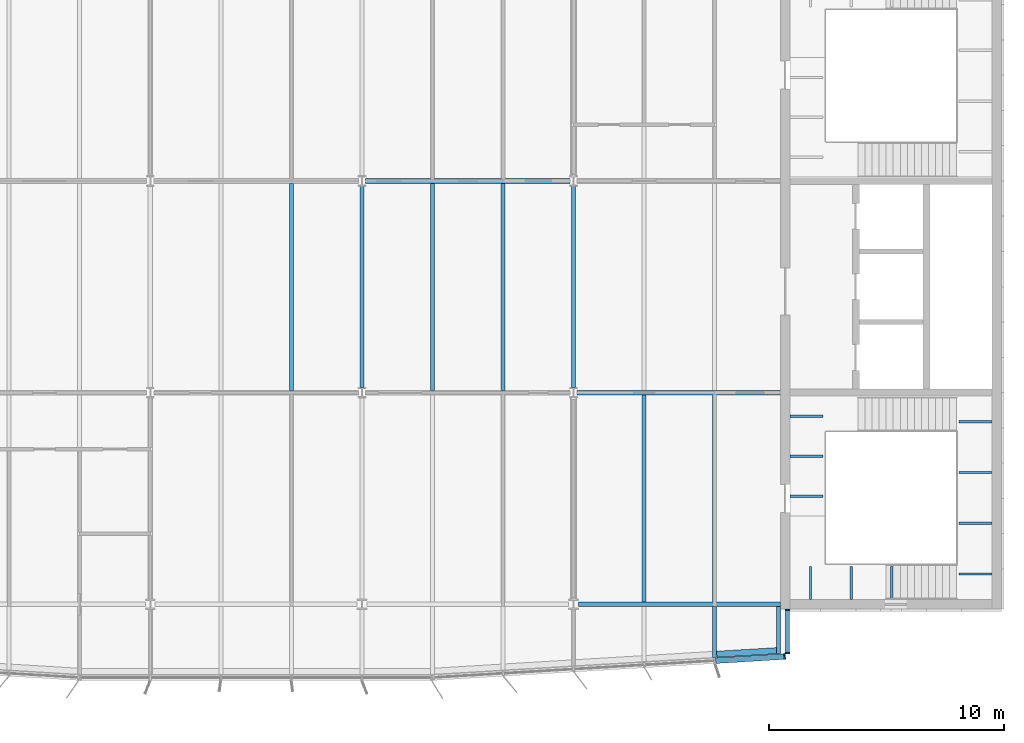
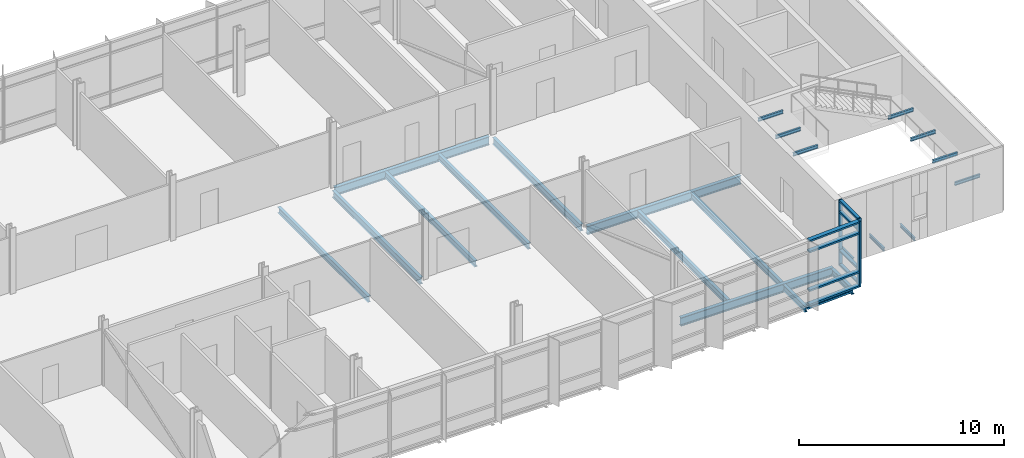
# One storey, part 6 of 18: 23 beams, 11 members, 2 elements without a shape of their own.
"""IFC4 building model written with IfcOpenShell, lengths in metres."""

from ifc_helpers import new_model, si_unit, direction, frame, origin, origin_2d, place, context, subcontext, project, spatial, rectangle, i_section, extrude, material, material_profile, profile_set, type_object, element, aggregate, save


model = new_model("IFC4")

# Units and contexts
model_context = context("Model", 3, precision=1e-05, world=origin(), true_north=direction((0.0, 1.0)))
body_context = subcontext(model_context, "Body", "Model", "MODEL_VIEW")
ifc_project = project(units=[si_unit("LENGTHUNIT", "METRE"), si_unit("AREAUNIT", "SQUARE_METRE"), si_unit("VOLUMEUNIT", "CUBIC_METRE"), si_unit("PLANEANGLEUNIT", "RADIAN"), si_unit("MASSUNIT", "GRAM", prefix="KILO")], contexts=[model_context])

# Site, building, storey
site_placement = place(None, origin())
site = spatial("IfcSite", under=ifc_project, at=site_placement, CompositionType="ELEMENT")
building_placement = place(site_placement, origin())
building = spatial("IfcBuilding", under=site, at=building_placement, Name="Azimuth Sports and Learning Centre", CompositionType="ELEMENT")
storey_placement = place(building_placement, frame((0.0, 0.0, 55.800048828125)))
storey = spatial("IfcBuildingStorey", under=building, at=storey_placement, Name="L12", CompositionType="ELEMENT", Elevation=55.800048828125)

# Beams
ifc_material_1 = material(Name="Steel S355", Category="steel")
ifc_material_profile_1 = material_profile(ifc_material_1, i_section(OverallWidth=0.10009765625, OverallDepth=0.199951171875, WebThickness=0.005615234375, FlangeThickness=0.008544921875, FilletRadius=0.011962890625, at=origin_2d()), Name="IPE 200")
ifc_profile_set_1 = profile_set([ifc_material_profile_1], Name="Steel S355")
beam_type_1 = type_object("IfcBeamType", Name="Beam IPE 200", PredefinedType="BEAM", material=ifc_profile_set_1)
for number, where, z_axis, x_axis, name in (
    (1, (109.0732421875, 90.199951171875, -0.300048828125), (0.0, 1.0, 0.0), (-1.0, 0.0, 0.0), "Landing bracket E1 L12 475"),
    (2, (110.800048828125, 90.199951171875, -0.300048828125), (0.0, 1.0, 0.0), (-1.0, 0.0, 0.0), "Landing bracket E1 L12 476"),
    (3, (112.526611328125, 90.199951171875, -0.300048828125), (0.0, 1.0, 0.0), (-1.0, 0.0, 0.0), "Landing bracket E1 L12 477"),
    (4, (116.800048828125, 91.288818359375, 1.349853515625), (-1.0, 0.0, 0.0), (0.0, -1.0, 0.0), "Landing bracket E1 L12 478"),
    (5, (116.800048828125, 93.4462890625, 1.349853515625), (-1.0, 0.0, 0.0), (0.0, -1.0, 0.0), "Landing bracket E1 L12 479"),
    (6, (116.800048828125, 95.603759765625, 1.349853515625), (-1.0, 0.0, 0.0), (0.0, -1.0, 0.0), "Landing bracket E1 L12 480"),
    (7, (116.800048828125, 97.76123046875, 1.349853515625), (-1.0, 0.0, 0.0), (0.0, -1.0, 0.0), "Landing bracket E1 L12 481"),
    (8, (108.199951171875, 94.598388671875, 3.599853515625), (1.0, 0.0, 0.0), (0.0, 1.0, 0.0), "Landing bracket E1 L12 482"),
    (9, (108.199951171875, 96.294921875, 3.599853515625), (1.0, 0.0, 0.0), (0.0, 1.0, 0.0), "Landing bracket E1 L12 483"),
    (10, (108.199951171875, 97.99169921875, 3.599853515625), (1.0, 0.0, 0.0), (0.0, 1.0, 0.0), "Landing bracket E1 L12 484"),
):
    element("IfcBeam", number, at=place(storey_placement, frame(where, z_axis=z_axis, x_axis=x_axis)), inside=storey, type_object=beam_type_1, Name=name, PredefinedType="BEAM", context=body_context, shape_type="SweptSolid", body=[
        extrude(i_section(OverallWidth=0.10009765625, OverallDepth=0.199951171875, WebThickness=0.005615234375, FlangeThickness=0.008544921875, FilletRadius=0.011962890625, at=origin_2d()), origin(), (0.0, 0.0, 1.0), 1.41015625),
    ])
ifc_material_2 = material(Name="Steel S355", Category="steel")
ifc_material_profile_2 = material_profile(ifc_material_2, i_section(OverallWidth=0.179931640625, OverallDepth=0.39990234375, WebThickness=0.008544921875, FlangeThickness=0.013427734375, FilletRadius=0.02099609375, at=origin_2d()), Name="IPE 400")
ifc_profile_set_2 = profile_set([ifc_material_profile_2], Name="Steel S355")
beam_type_2 = type_object("IfcBeamType", Name="Beam IPE 400", PredefinedType="BEAM", material=ifc_profile_set_2)
for number, where, z_axis, x_axis, name in (
    (11, (90.0, 99.216064453125, -0.330078125), (0.0, 1.0, 0.0), (-1.0, 0.0, 0.0), "Tower tie"),
    (12, (99.0, 99.216064453125, -0.330078125), (0.0, 1.0, 0.0), (-1.0, 0.0, 0.0), "Tower tie"),
):
    element("IfcBeam", number, at=place(storey_placement, frame(where, z_axis=z_axis, x_axis=x_axis)), inside=storey, type_object=beam_type_2, Name=name, PredefinedType="BEAM", context=body_context, shape_type="SweptSolid", body=[
        extrude(i_section(OverallWidth=0.179931640625, OverallDepth=0.39990234375, WebThickness=0.008544921875, FlangeThickness=0.013427734375, FilletRadius=0.02099609375, at=origin_2d()), origin(), (0.0, 0.0, 1.0), 8.56787109375),
    ])
ifc_material_3 = material(Name="Steel S355", Category="steel")
ifc_material_profile_3 = material_profile(ifc_material_3, i_section(OverallWidth=0.199951171875, OverallDepth=0.5, WebThickness=0.01025390625, FlangeThickness=0.01611328125, FilletRadius=0.02099609375, at=origin_2d()), Name="IPE 500")
ifc_profile_set_3 = profile_set([ifc_material_profile_3], Name="Steel S355")
beam_type_3 = type_object("IfcBeamType", Name="Beam IPE 500", PredefinedType="BEAM", material=ifc_profile_set_3)
beam_1_placement = place(storey_placement, frame((99.208984375, 90.0, -0.380126953125), z_axis=(1.0, 0.0, 0.0), x_axis=(0.0, 1.0, 0.0)))
element("IfcBeam", 13, at=beam_1_placement, inside=storey, type_object=beam_type_3, Name="Tower girder L12", PredefinedType="BEAM", context=body_context, shape_type="SweptSolid", body=[
    extrude(i_section(OverallWidth=0.199951171875, OverallDepth=0.5, WebThickness=0.01025390625, FlangeThickness=0.01611328125, FilletRadius=0.02099609375, at=origin_2d()), origin(), (0.0, 0.0, 1.0), 8.591064453125),
])
beam_2_placement = place(storey_placement, frame((99.153564453125, 99.0, -0.380126953125), z_axis=(1.0, 0.0, 0.0), x_axis=(0.0, 1.0, 0.0)))
element("IfcBeam", 14, at=beam_2_placement, inside=storey, type_object=beam_type_3, Name="Tower girder L12", PredefinedType="BEAM", context=body_context, shape_type="SweptSolid", body=[
    extrude(i_section(OverallWidth=0.199951171875, OverallDepth=0.5, WebThickness=0.01025390625, FlangeThickness=0.01611328125, FilletRadius=0.02099609375, at=origin_2d()), origin(), (0.0, 0.0, 1.0), 8.646484375),
])
beam_3_placement = place(storey_placement, frame((90.153564453125, 108.0, -0.380126953125), z_axis=(1.0, 0.0, 0.0), x_axis=(0.0, 1.0, 0.0)))
element("IfcBeam", 15, at=beam_3_placement, inside=storey, type_object=beam_type_3, Name="Tower girder L12", PredefinedType="BEAM", context=body_context, shape_type="SweptSolid", body=[
    extrude(i_section(OverallWidth=0.199951171875, OverallDepth=0.5, WebThickness=0.01025390625, FlangeThickness=0.01611328125, FilletRadius=0.02099609375, at=origin_2d()), origin(), (0.0, 0.0, 1.0), 8.69287109375),
])
ifc_material_4 = material(Name="Steel S355", Category="steel")
ifc_material_profile_4 = material_profile(ifc_material_4, i_section(OverallWidth=0.169921875, OverallDepth=0.360107421875, WebThickness=0.008056640625, FlangeThickness=0.0126953125, FilletRadius=0.01806640625, at=origin_2d()), Name="IPE 360")
ifc_profile_set_4 = profile_set([ifc_material_profile_4], Name="Steel S355")
beam_type_4 = type_object("IfcBeamType", Name="Cantilever stub IPE 360", PredefinedType="JOIST", material=ifc_profile_set_4)
beam_4_placement = place(storey_placement, frame((105.0, 89.89990234375, -0.31005859375), z_axis=(0.0, -1.0, 0.0), x_axis=(1.0, 0.0, 0.0)))
element("IfcBeam", 16, at=beam_4_placement, inside=storey, type_object=beam_type_4, Name="Tower cantilever stub", PredefinedType="JOIST", context=body_context, shape_type="SweptSolid", body=[
    extrude(i_section(OverallWidth=0.169921875, OverallDepth=0.360107421875, WebThickness=0.008056640625, FlangeThickness=0.0126953125, FilletRadius=0.01806640625, at=origin_2d()), origin(), (0.0, 0.0, 1.0), 2.159912109375),
])
beam_5_placement = place(storey_placement, frame((107.715087890625, 89.89990234375, -0.31005859375), z_axis=(0.0, -1.0, 0.0), x_axis=(1.0, 0.0, 0.0)))
element("IfcBeam", 17, at=beam_5_placement, inside=storey, type_object=beam_type_4, Name="Tower cantilever stub", PredefinedType="JOIST", context=body_context, shape_type="SweptSolid", body=[
    extrude(i_section(OverallWidth=0.169921875, OverallDepth=0.360107421875, WebThickness=0.008056640625, FlangeThickness=0.0126953125, FilletRadius=0.01806640625, at=origin_2d()), origin(), (0.0, 0.0, 1.0), 1.9970703125),
])
ifc_material_5 = material(Name="Steel S355", Category="steel")
ifc_material_profile_5 = material_profile(ifc_material_5, i_section(OverallWidth=0.260009765625, OverallDepth=0.25, WebThickness=0.007568359375, FlangeThickness=0.012451171875, FilletRadius=0.02392578125, at=origin_2d()), Name="HEA 260")
ifc_profile_set_5 = profile_set([ifc_material_profile_5], Name="Steel S355")
beam_type_5 = type_object("IfcBeamType", Name="Edge beam HEA 260", PredefinedType="SPANDREL", material=ifc_profile_set_5)
beam_6_placement = place(storey_placement, frame((105.0849609375, 87.875, -0.255126953125), z_axis=(0.998201638043, 0.05994572385, 0.0), x_axis=(-0.05994572385, 0.998201638043, 0.0)))
element("IfcBeam", 18, at=beam_6_placement, inside=storey, type_object=beam_type_5, Name="Tower edge beam", PredefinedType="SPANDREL", context=body_context, shape_type="SweptSolid", body=[
    extrude(i_section(OverallWidth=0.260009765625, OverallDepth=0.25, WebThickness=0.007568359375, FlangeThickness=0.012451171875, FilletRadius=0.02392578125, at=origin_2d()), origin(), (0.0, 0.0, 1.0), 2.549560546875),
])
ifc_material_6 = material(Name="Steel S355", Category="steel")
ifc_material_profile_6 = material_profile(ifc_material_6, i_section(OverallWidth=0.169921875, OverallDepth=0.360107421875, WebThickness=0.008056640625, FlangeThickness=0.0126953125, FilletRadius=0.01806640625, at=origin_2d()), Name="IPE 360")
ifc_profile_set_6 = profile_set([ifc_material_profile_6], Name="Steel S355")
beam_type_6 = type_object("IfcBeamType", Name="Joist IPE 360", PredefinedType="JOIST", material=ifc_profile_set_6)
for number, where, z_axis, x_axis, name in (
    (19, (87.0, 99.10009765625, -0.31005859375), (0.0, 1.0, 0.0), (-1.0, 0.0, 0.0), "Tower joist"),
    (20, (93.0, 99.10009765625, -0.31005859375), (0.0, 1.0, 0.0), (-1.0, 0.0, 0.0), "Tower joist"),
    (21, (96.0, 99.10009765625, -0.31005859375), (0.0, 1.0, 0.0), (-1.0, 0.0, 0.0), "Tower joist"),
    (22, (102.0, 90.10009765625, -0.31005859375), (0.0, 1.0, 0.0), (-1.0, 0.0, 0.0), "Tower joist"),
    (23, (105.0, 90.10009765625, -0.31005859375), (0.0, 1.0, 0.0), (-1.0, 0.0, 0.0), "Tower joist"),
):
    element("IfcBeam", number, at=place(storey_placement, frame(where, z_axis=z_axis, x_axis=x_axis)), inside=storey, type_object=beam_type_6, Name=name, PredefinedType="JOIST", context=body_context, shape_type="SweptSolid", body=[
        extrude(i_section(OverallWidth=0.169921875, OverallDepth=0.360107421875, WebThickness=0.008056640625, FlangeThickness=0.0126953125, FilletRadius=0.01806640625, at=origin_2d()), origin(), (0.0, 0.0, 1.0), 8.7998046875),
    ])

# Curtain wall, members
ifc_material_7 = material(Name="Aluminium and glass", Category="aluminium")
curtain_wall_type_1 = type_object("IfcCurtainWallType", Name="Curtain wall tower return 180", PredefinedType="NOTDEFINED", material=ifc_material_7)
curtain_wall_1_placement = place(storey_placement, origin())
curtain_wall_1 = element("IfcCurtainWall", 24, at=curtain_wall_1_placement, inside=storey, type_object=curtain_wall_type_1, Name="Curtain wall CW12-005", PredefinedType="NOTDEFINED")
ifc_material_8 = material(Name="Aluminium", Category="aluminium")
ifc_material_profile_7 = material_profile(ifc_material_8, rectangle(XDim=0.179931640625, YDim=0.06005859375, at=origin_2d()), Name="Mullion 60x180")
ifc_profile_set_7 = profile_set([ifc_material_profile_7], Name="Aluminium")
member_type_1 = type_object("IfcMemberType", Name="Mullion 60x180", PredefinedType="MULLION", material=ifc_profile_set_7)
member_1_placement = place(storey_placement, frame((108.090087890625, 87.929931640625, 0.0), z_axis=(0.0, 0.0, 1.0), x_axis=(-1.0, 0.0, 0.0)))
member_1 = element("IfcMember", 25, at=member_1_placement, type_object=member_type_1, Name="CW12-005 mullion 1", PredefinedType="MULLION", context=body_context, shape_type="SweptSolid", body=[
    extrude(rectangle(XDim=0.179931640625, YDim=0.06005859375, at=origin_2d()), origin(), (0.0, 0.0, 1.0), 3.89990234375),
])
member_2_placement = place(storey_placement, frame((108.090087890625, 89.77001953125, 0.0), z_axis=(0.0, 0.0, 1.0), x_axis=(-1.0, 0.0, 0.0)))
member_2 = element("IfcMember", 26, at=member_2_placement, type_object=member_type_1, Name="CW12-005 mullion 2", PredefinedType="MULLION", context=body_context, shape_type="SweptSolid", body=[
    extrude(rectangle(XDim=0.179931640625, YDim=0.06005859375, at=origin_2d()), origin(), (0.0, 0.0, 1.0), 3.89990234375),
])

# Curtain wall, member
ifc_material_9 = material(Name="Aluminium and glass", Category="aluminium")
curtain_wall_type_2 = type_object("IfcCurtainWallType", Name="Curtain wall tower south 240", PredefinedType="NOTDEFINED", material=ifc_material_9)
curtain_wall_2_placement = place(storey_placement, origin())
curtain_wall_2 = element("IfcCurtainWall", 27, at=curtain_wall_2_placement, inside=storey, type_object=curtain_wall_type_2, Name="Curtain wall CW12-004", PredefinedType="NOTDEFINED")
ifc_material_10 = material(Name="Aluminium", Category="aluminium")
ifc_material_profile_8 = material_profile(ifc_material_10, rectangle(XDim=0.239990234375, YDim=0.070068359375, at=origin_2d()), Name="Mullion 70x240")
ifc_profile_set_8 = profile_set([ifc_material_profile_8], Name="Aluminium")
member_type_2 = type_object("IfcMemberType", Name="Mullion 70x240", PredefinedType="MULLION", material=ifc_profile_set_8)
member_3_placement = place(storey_placement, frame((107.97216796875, 87.778076171875, 0.0), z_axis=(0.0, 0.0, 1.0), x_axis=(-0.059891991812, 0.998204863401, 0.0)))
member_3 = element("IfcMember", 28, at=member_3_placement, type_object=member_type_2, Name="CW12-004 mullion 6", PredefinedType="MULLION", context=body_context, shape_type="SweptSolid", body=[
    extrude(rectangle(XDim=0.239990234375, YDim=0.070068359375, at=origin_2d()), origin(), (0.0, 0.0, 1.0), 3.89990234375),
])

# Member
ifc_material_11 = material(Name="Aluminium", Category="aluminium")
ifc_material_profile_9 = material_profile(ifc_material_11, rectangle(XDim=0.179931640625, YDim=0.10009765625, at=origin_2d()), Name="Transom 100x180")
ifc_profile_set_9 = profile_set([ifc_material_profile_9], Name="Aluminium")
member_type_3 = type_object("IfcMemberType", Name="Transom 100x180", PredefinedType="USERDEFINED", material=ifc_profile_set_9)
member_4_placement = place(storey_placement, frame((108.090087890625, 87.9599609375, 0.050048828125), z_axis=(0.0, 1.0, 0.0), x_axis=(-1.0, 0.0, 0.0)))
member_4 = element("IfcMember", 29, at=member_4_placement, type_object=member_type_3, Name="CW12-005 transom 1.1", ObjectType="TRANSOM", PredefinedType="USERDEFINED", context=body_context, shape_type="SweptSolid", body=[
    extrude(rectangle(XDim=0.179931640625, YDim=0.10009765625, at=origin_2d()), origin(), (0.0, 0.0, 1.0), 1.780029296875),
])

member_5_placement = place(storey_placement, frame((108.090087890625, 87.9599609375, 0.89990234375), z_axis=(0.0, 1.0, 0.0), x_axis=(-1.0, 0.0, 0.0)))
member_5 = element("IfcMember", 30, at=member_5_placement, type_object=member_type_3, Name="CW12-005 transom 1.2", ObjectType="TRANSOM", PredefinedType="USERDEFINED", context=body_context, shape_type="SweptSolid", body=[
    extrude(rectangle(XDim=0.179931640625, YDim=0.10009765625, at=origin_2d()), origin(), (0.0, 0.0, 1.0), 1.780029296875),
])

member_6_placement = place(storey_placement, frame((108.090087890625, 87.9599609375, 3.199951171875), z_axis=(0.0, 1.0, 0.0), x_axis=(-1.0, 0.0, 0.0)))
member_6 = element("IfcMember", 31, at=member_6_placement, type_object=member_type_3, Name="CW12-005 transom 1.3", ObjectType="TRANSOM", PredefinedType="USERDEFINED", context=body_context, shape_type="SweptSolid", body=[
    extrude(rectangle(XDim=0.179931640625, YDim=0.10009765625, at=origin_2d()), origin(), (0.0, 0.0, 1.0), 1.780029296875),
])

member_7_placement = place(storey_placement, frame((108.090087890625, 87.9599609375, 3.849853515625), z_axis=(0.0, 1.0, 0.0), x_axis=(-1.0, 0.0, 0.0)))
member_7 = element("IfcMember", 32, at=member_7_placement, type_object=member_type_3, Name="CW12-005 transom 1.4", ObjectType="TRANSOM", PredefinedType="USERDEFINED", context=body_context, shape_type="SweptSolid", body=[
    extrude(rectangle(XDim=0.179931640625, YDim=0.10009765625, at=origin_2d()), origin(), (0.0, 0.0, 1.0), 1.780029296875),
])

aggregate(curtain_wall_1, [member_1, member_2, member_4, member_5, member_6, member_7])

ifc_material_12 = material(Name="Aluminium", Category="aluminium")
ifc_material_profile_10 = material_profile(ifc_material_12, rectangle(XDim=0.239990234375, YDim=0.10009765625, at=origin_2d()), Name="Transom 100x240")
ifc_profile_set_10 = profile_set([ifc_material_profile_10], Name="Aluminium")
member_type_4 = type_object("IfcMemberType", Name="Transom 100x240", PredefinedType="USERDEFINED", material=ifc_profile_set_10)
member_8_placement = place(storey_placement, frame((105.042236328125, 87.602294921875, 0.050048828125), z_axis=(0.998202227529, 0.059935907067, 0.0), x_axis=(-0.059935907067, 0.998202227529, 0.0)))
member_8 = element("IfcMember", 33, at=member_8_placement, type_object=member_type_4, Name="CW12-004 transom 5.1", ObjectType="TRANSOM", PredefinedType="USERDEFINED", context=body_context, shape_type="SweptSolid", body=[
    extrude(rectangle(XDim=0.239990234375, YDim=0.10009765625, at=origin_2d()), origin(), (0.0, 0.0, 1.0), 2.900146484375),
])

member_9_placement = place(storey_placement, frame((105.042236328125, 87.602294921875, 0.89990234375), z_axis=(0.998202227529, 0.059935907067, 0.0), x_axis=(-0.059935907067, 0.998202227529, 0.0)))
member_9 = element("IfcMember", 34, at=member_9_placement, type_object=member_type_4, Name="CW12-004 transom 5.2", ObjectType="TRANSOM", PredefinedType="USERDEFINED", context=body_context, shape_type="SweptSolid", body=[
    extrude(rectangle(XDim=0.239990234375, YDim=0.10009765625, at=origin_2d()), origin(), (0.0, 0.0, 1.0), 2.900146484375),
])

member_10_placement = place(storey_placement, frame((105.042236328125, 87.602294921875, 3.199951171875), z_axis=(0.998202227529, 0.059935907067, 0.0), x_axis=(-0.059935907067, 0.998202227529, 0.0)))
member_10 = element("IfcMember", 35, at=member_10_placement, type_object=member_type_4, Name="CW12-004 transom 5.3", ObjectType="TRANSOM", PredefinedType="USERDEFINED", context=body_context, shape_type="SweptSolid", body=[
    extrude(rectangle(XDim=0.239990234375, YDim=0.10009765625, at=origin_2d()), origin(), (0.0, 0.0, 1.0), 2.900146484375),
])

member_11_placement = place(storey_placement, frame((105.042236328125, 87.602294921875, 3.849853515625), z_axis=(0.998202227529, 0.059935907067, 0.0), x_axis=(-0.059935907067, 0.998202227529, 0.0)))
member_11 = element("IfcMember", 36, at=member_11_placement, type_object=member_type_4, Name="CW12-004 transom 5.4", ObjectType="TRANSOM", PredefinedType="USERDEFINED", context=body_context, shape_type="SweptSolid", body=[
    extrude(rectangle(XDim=0.239990234375, YDim=0.10009765625, at=origin_2d()), origin(), (0.0, 0.0, 1.0), 2.900146484375),
])

aggregate(curtain_wall_2, [member_3, member_8, member_9, member_10, member_11])

save(model, "model.ifc")
